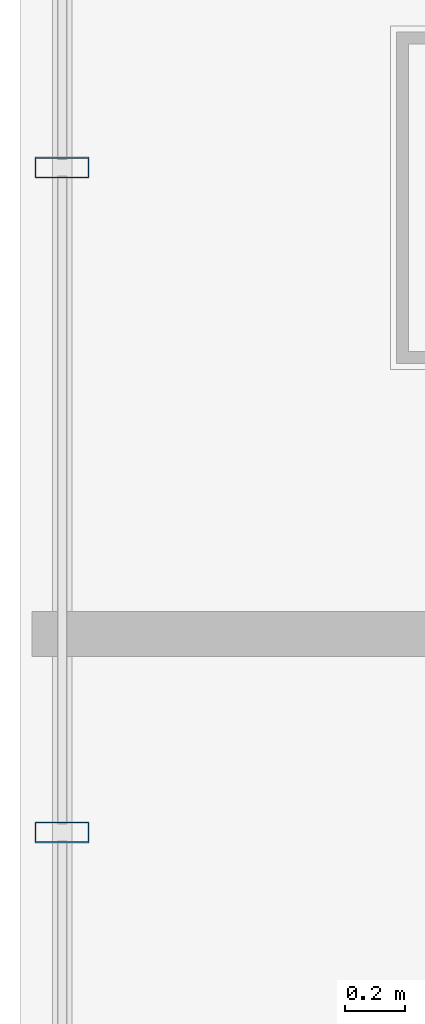
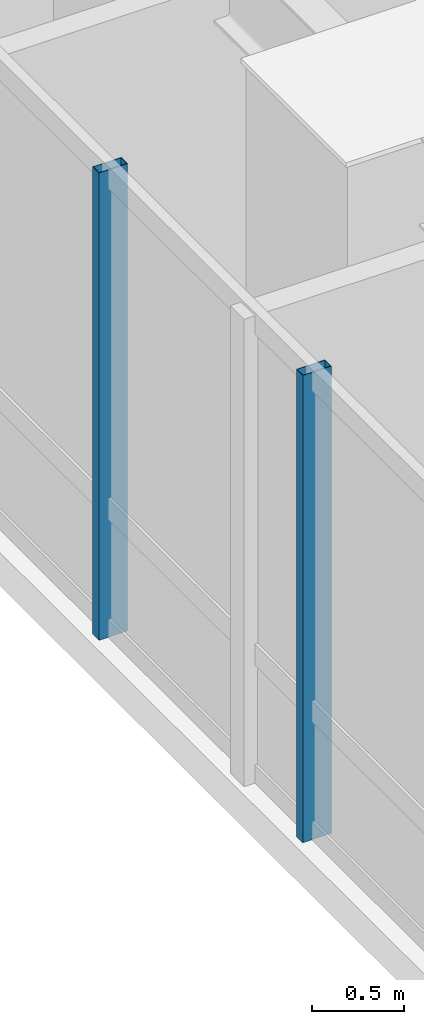
# One storey, part 18 of 39: 2 members, 1 element without a shape of its own.
"""IFC4 building model written with IfcOpenShell, lengths in metres."""

from ifc_helpers import new_model, si_unit, direction, frame, origin, origin_2d, place, context, subcontext, project, spatial, hollow_rectangle, extrude, material, layer, layer_set, material_profile, profile_set, type_object, element, aggregate, save


model = new_model("IFC4")

# Units and contexts
model_context = context("Model", 3, precision=1e-05, world=origin(), true_north=direction((0.0, 1.0)))
body_context = subcontext(model_context, "Body", "Model", "MODEL_VIEW")
ifc_project = project(units=[si_unit("LENGTHUNIT", "METRE"), si_unit("AREAUNIT", "SQUARE_METRE"), si_unit("VOLUMEUNIT", "CUBIC_METRE"), si_unit("PLANEANGLEUNIT", "RADIAN"), si_unit("MASSUNIT", "GRAM", prefix="KILO")], contexts=[model_context])

# Site, building, storey
site_placement = place(None, origin())
site = spatial("IfcSite", under=ifc_project, at=site_placement, CompositionType="ELEMENT")
building_placement = place(site_placement, origin())
building = spatial("IfcBuilding", under=site, at=building_placement, Name="Hatsunagi Terrace Concourse", CompositionType="ELEMENT")
storey_placement = place(building_placement, frame((0.0, 0.0, 66.75)))
storey = spatial("IfcBuildingStorey", under=building, at=storey_placement, Name="L17", CompositionType="ELEMENT", Elevation=66.75)

# Curtain wall, members
ifc_material_1 = material(Name="Anodised Aluminium Alloy 6063-T5", Category="aluminium")
ifc_layer = layer(ifc_material_1, 0.199951171875)
ifc_layer_set = layer_set([ifc_layer], Name="HotelFacade_CW02")
curtain_wall_type = type_object("IfcCurtainWallType", Name="HotelFacade_CW02", PredefinedType="NOTDEFINED", material=ifc_layer_set)
curtain_wall_placement = place(storey_placement, origin())
curtain_wall = element("IfcCurtainWall", 1, at=curtain_wall_placement, inside=storey, type_object=curtain_wall_type, Name="Unitised Curtain Wall CW-02 CW-L17-09", PredefinedType="NOTDEFINED")
ifc_material_2 = material(Name="Anodised Aluminium Alloy 6063-T5", Category="aluminium")
ifc_material_profile = material_profile(ifc_material_2, hollow_rectangle(XDim=0.070068359375, YDim=0.179931640625, WallThickness=0.00390625, at=origin_2d()), Name="ALU-MUL-180x70x4")
ifc_profile_set = profile_set([ifc_material_profile], Name="Anodised Aluminium Alloy 6063-T5")
member_type = type_object("IfcMemberType", Name="CurtainWallMullion_180x70", PredefinedType="MULLION", material=ifc_profile_set)
member_1_placement = place(storey_placement, frame((0.139892578125, 34.69189453125, 0.0), z_axis=(0.0, 0.0, 1.0), x_axis=(0.0, 1.0, 0.0)))
member_1 = element("IfcMember", 2, at=member_1_placement, type_object=member_type, Name="Curtain Wall Mullion MUL-02", PredefinedType="MULLION", context=body_context, shape_type="SweptSolid", body=[
    extrude(hollow_rectangle(XDim=0.070068359375, YDim=0.179931640625, WallThickness=0.00390625, at=origin_2d()), origin(), (0.0, 0.0, 1.0), 3.090087890625),
])
member_2_placement = place(storey_placement, frame((0.139892578125, 36.89990234375, 0.0), z_axis=(0.0, 0.0, 1.0), x_axis=(0.0, 1.0, 0.0)))
member_2 = element("IfcMember", 3, at=member_2_placement, type_object=member_type, Name="Curtain Wall Mullion MUL-02", PredefinedType="MULLION", context=body_context, shape_type="SweptSolid", body=[
    extrude(hollow_rectangle(XDim=0.070068359375, YDim=0.179931640625, WallThickness=0.00390625, at=origin_2d()), origin(), (0.0, 0.0, 1.0), 3.090087890625),
])
aggregate(curtain_wall, [member_1, member_2])

save(model, "model.ifc")
